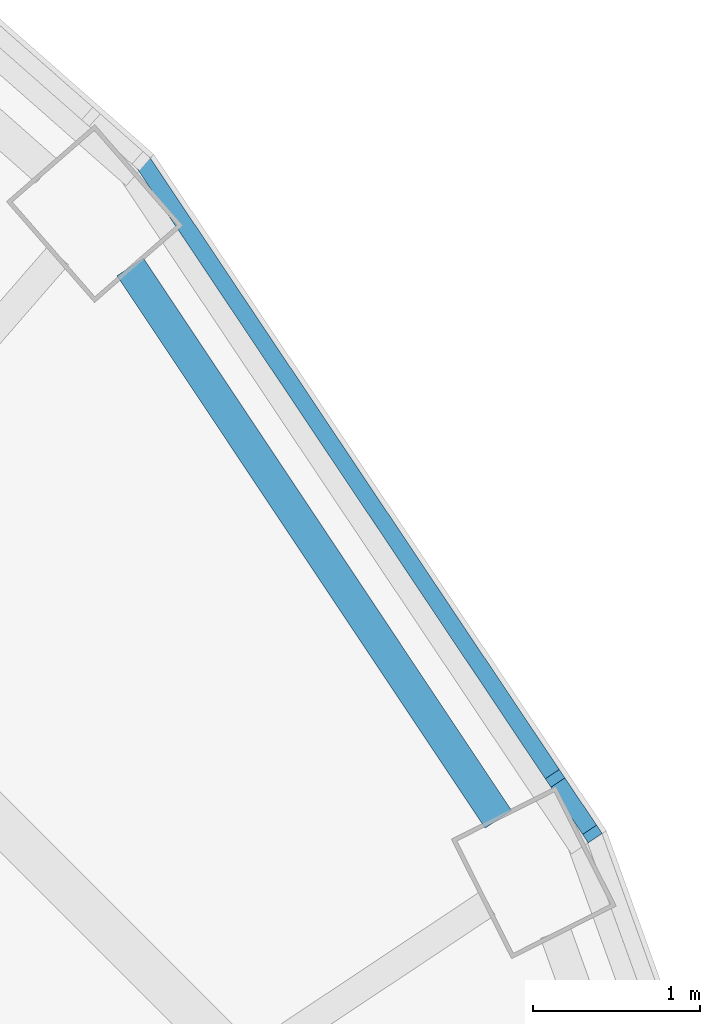
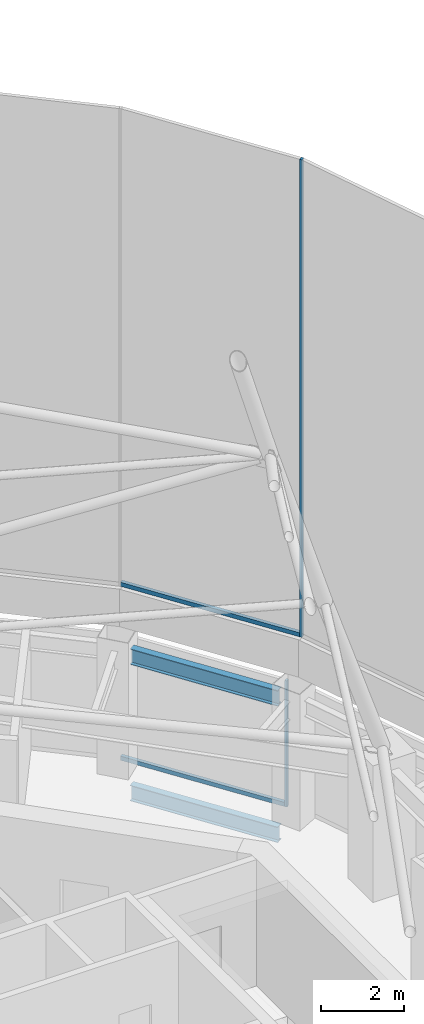
# One storey, part 15 of 25: 4 members, 2 beams, 2 elements without a shape of their own.
"""IFC4 building model written with IfcOpenShell, lengths in metres."""

from ifc_helpers import new_model, si_unit, direction, frame, origin, origin_2d, place, context, subcontext, project, spatial, rectangle, i_section, extrude, material, layer, layer_set, material_profile, profile_set, type_object, element, aggregate, save


model = new_model("IFC4")

# Units and contexts
model_context = context("Model", 3, precision=1e-05, world=origin(), true_north=direction((0.0, 1.0)))
body_context = subcontext(model_context, "Body", "Model", "MODEL_VIEW")
ifc_project = project(units=[si_unit("LENGTHUNIT", "METRE"), si_unit("AREAUNIT", "SQUARE_METRE"), si_unit("VOLUMEUNIT", "CUBIC_METRE"), si_unit("PLANEANGLEUNIT", "RADIAN"), si_unit("MASSUNIT", "GRAM", prefix="KILO")], contexts=[model_context])

# Site, building, storey
site_placement = place(None, origin())
site = spatial("IfcSite", under=ifc_project, at=site_placement, CompositionType="ELEMENT")
building_placement = place(site_placement, origin())
building = spatial("IfcBuilding", under=site, at=building_placement, Name="Nagisa Residences", CompositionType="ELEMENT")
storey_placement = place(building_placement, frame((0.0, 0.0, 340.89990234375)))
storey = spatial("IfcBuildingStorey", under=building, at=storey_placement, Name="L84", CompositionType="ELEMENT", Elevation=340.89990234375)

# Curtain wall, member
ifc_material_1 = material(Name="Aluminium curtain wall system", Category="aluminium")
ifc_layer = layer(ifc_material_1, 0.159912109375)
ifc_layer_set = layer_set([ifc_layer], Name="CW5 CURTAIN WALL")
curtain_wall_type = type_object("IfcCurtainWallType", Name="CW5 CURTAIN WALL", PredefinedType="NOTDEFINED", material=ifc_layer_set)
curtain_wall_1_placement = place(storey_placement, origin())
curtain_wall_1 = element("IfcCurtainWall", 1, at=curtain_wall_1_placement, inside=storey, type_object=curtain_wall_type, Name="cw:CW5:L84:02", PredefinedType="NOTDEFINED")
ifc_material_2 = material(Name="Aluminium", Category="aluminium")
ifc_material_profile_1 = material_profile(ifc_material_2, rectangle(XDim=0.10009765625, YDim=0.06005859375, at=origin_2d()), Name="CW5 MULLION 100x60")
ifc_profile_set_1 = profile_set([ifc_material_profile_1], Name="Aluminium")
member_type_1 = type_object("IfcMemberType", Name="CW5 MULLION 100x60", PredefinedType="MULLION", material=ifc_profile_set_1)
member_1_placement = place(storey_placement, frame((14.416748046875, 10.06298828125, 0.0), z_axis=(0.0, 0.0, 1.0), x_axis=(-0.831172662415, -0.556014393027, 0.0)))
member_1 = element("IfcMember", 2, at=member_1_placement, type_object=member_type_1, Name="CW5 mullion", PredefinedType="MULLION", context=body_context, shape_type="SweptSolid", body=[
    extrude(rectangle(XDim=0.10009765625, YDim=0.06005859375, at=origin_2d()), origin(), (0.0, 0.0, 1.0), 3.7001953125),
])

curtain_wall_2_placement = place(storey_placement, origin())
curtain_wall_2 = element("IfcCurtainWall", 3, at=curtain_wall_2_placement, inside=storey, type_object=curtain_wall_type, Name="cw:CW5:L84:top0:02", PredefinedType="NOTDEFINED")
member_2_placement = place(storey_placement, frame((14.63916015625, 9.73046875, 5.10009765625), z_axis=(0.0, 0.0, 1.0), x_axis=(-0.831172662415, -0.556014393027, 0.0)))
member_2 = element("IfcMember", 4, at=member_2_placement, type_object=member_type_1, Name="CW5 mullion", PredefinedType="MULLION", context=body_context, shape_type="SweptSolid", body=[
    extrude(rectangle(XDim=0.10009765625, YDim=0.06005859375, at=origin_2d()), origin(), (0.0, 0.0, 1.0), 14.0),
])

# Member
ifc_material_3 = material(Name="Aluminium", Category="aluminium")
ifc_material_profile_2 = material_profile(ifc_material_3, rectangle(XDim=0.10009765625, YDim=0.1201171875, at=origin_2d()), Name="CW5 TRANSOM 100x120")
ifc_profile_set_2 = profile_set([ifc_material_profile_2], Name="Aluminium")
member_type_2 = type_object("IfcMemberType", Name="CW5 TRANSOM 100x120", PredefinedType="USERDEFINED", material=ifc_profile_set_2)
member_3_placement = place(storey_placement, frame((14.43359375, 10.0380859375, 0.06005859375), z_axis=(-0.556026221044, 0.831164749921, 0.0), x_axis=(-0.831164749921, -0.556026221044, 0.0)))
member_3 = element("IfcMember", 5, at=member_3_placement, type_object=member_type_2, Name="CW5 transom", ObjectType="TRANSOM", PredefinedType="USERDEFINED", context=body_context, shape_type="SweptSolid", body=[
    extrude(rectangle(XDim=0.10009765625, YDim=0.1201171875, at=origin_2d()), origin(), (0.0, 0.0, 1.0), 4.458984375),
])

aggregate(curtain_wall_1, [member_1, member_3])

member_4_placement = place(storey_placement, frame((14.656005859375, 9.70556640625, 5.16015625), z_axis=(-0.55602135043, 0.831168008207, 0.0), x_axis=(-0.831168008207, -0.55602135043, 0.0)))
member_4 = element("IfcMember", 6, at=member_4_placement, type_object=member_type_2, Name="CW5 transom", ObjectType="TRANSOM", PredefinedType="USERDEFINED", context=body_context, shape_type="SweptSolid", body=[
    extrude(rectangle(XDim=0.10009765625, YDim=0.1201171875, at=origin_2d()), origin(), (0.0, 0.0, 1.0), 4.85888671875),
])

aggregate(curtain_wall_2, [member_2, member_4])

# Beams
ifc_material_4 = material(Name="Steel ASTM A572 Gr 50", Category="steel")
ifc_material_profile_3 = material_profile(ifc_material_4, i_section(OverallWidth=0.18994140625, OverallDepth=0.45703125, WebThickness=0.009033203125, FlangeThickness=0.014404296875, at=origin_2d()), Name="W460x74")
ifc_profile_set_3 = profile_set([ifc_material_profile_3], Name="Steel ASTM A572 Gr 50")
beam_type = type_object("IfcBeamType", Name="Perimeter ring beam W460x74", PredefinedType="BEAM", material=ifc_profile_set_3)
for number, where, z_axis, x_axis, name in (
    (7, (14.0771484375, 9.818603515625, -0.5283203125), (-0.554529560082, 0.832164026497, 0.0), (-0.832164026497, -0.554529560082, 0.0), "beam:L84:pb03"),
    (8, (14.0771484375, 9.818603515625, 3.4716796875), (-0.554529560082, 0.832164026497, 0.0), (-0.832164026497, -0.554529560082, 0.0), "beam:L84:rpb03"),
):
    element("IfcBeam", number, at=place(storey_placement, frame(where, z_axis=z_axis, x_axis=x_axis)), inside=storey, type_object=beam_type, Name=name, PredefinedType="BEAM", context=body_context, shape_type="SweptSolid", body=[
        extrude(i_section(OverallWidth=0.18994140625, OverallDepth=0.45703125, WebThickness=0.009033203125, FlangeThickness=0.014404296875, at=origin_2d()), origin(), (0.0, 0.0, 1.0), 3.96240234375),
    ])

save(model, "model.ifc")
